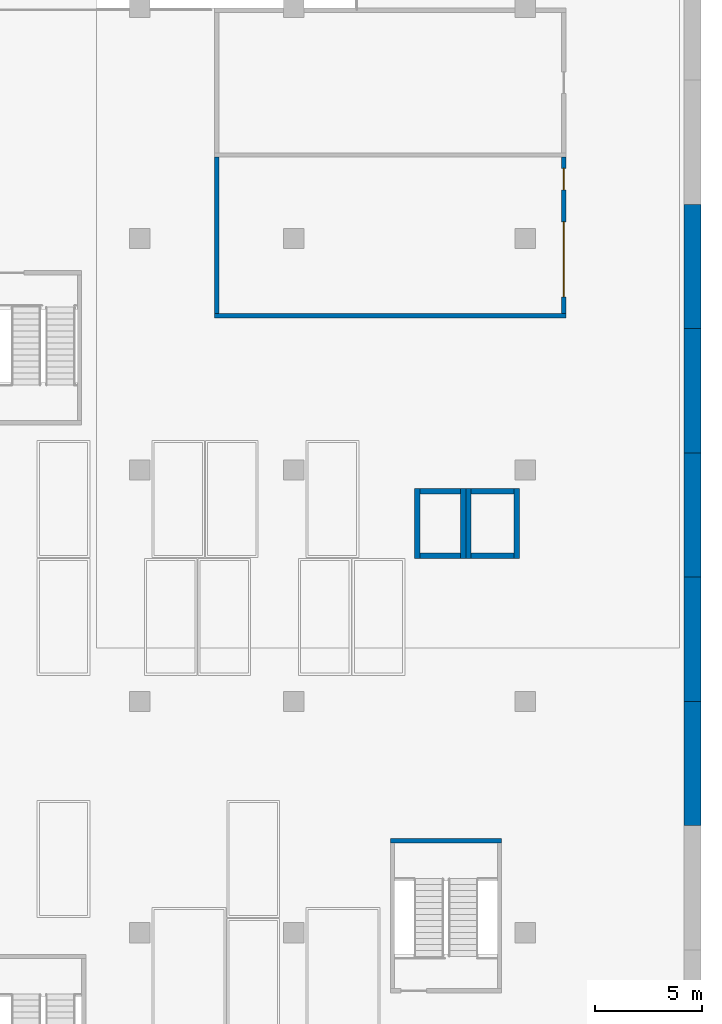
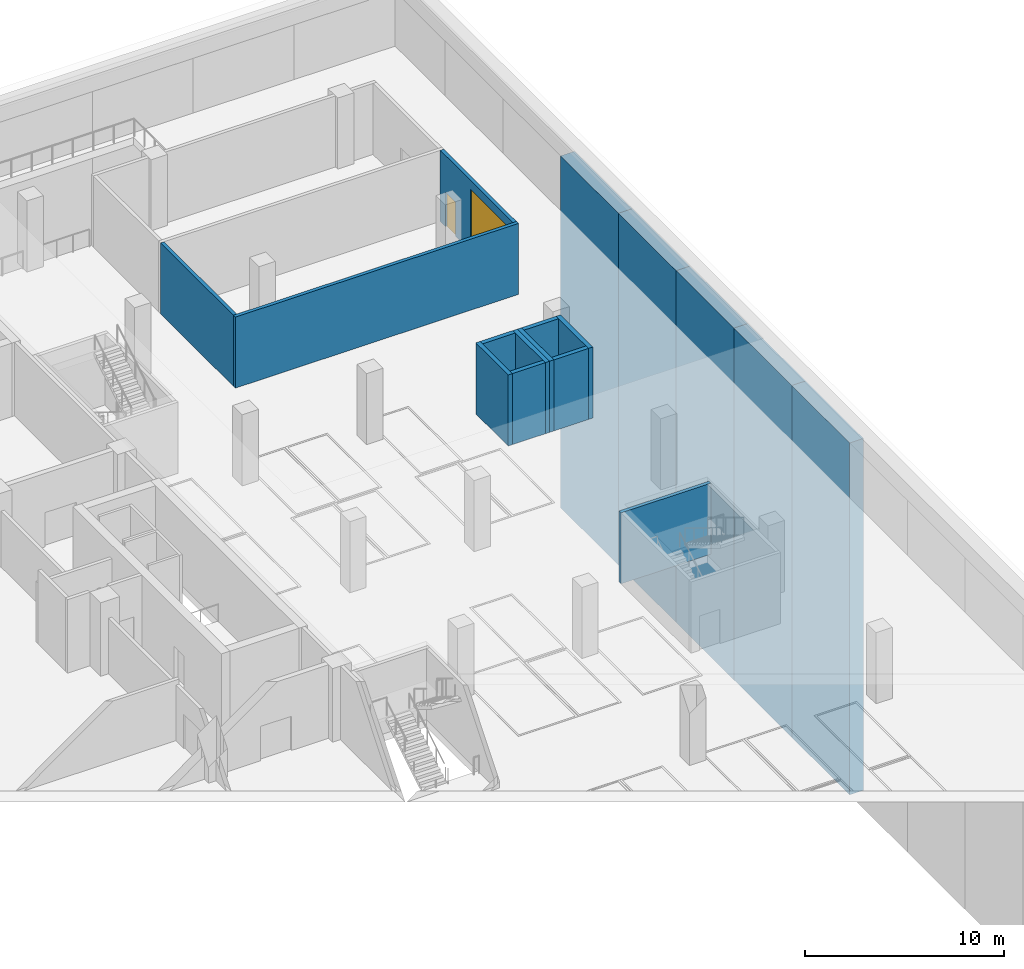
# One storey, part 7 of 18: 17 walls, 2 doors, 2 openings.
"""IFC4 building model written with IfcOpenShell, lengths in metres."""

from ifc_helpers import new_model, si_unit, direction, frame, frame_2d, origin, place, context, subcontext, project, spatial, rectangle, extrude, material, layer, layer_set, type_object, element, fill, save


model = new_model("IFC4")

# Units and contexts
model_context = context("Model", 3, precision=1e-05, world=origin(), true_north=direction((0.0, 1.0)))
body_context = subcontext(model_context, "Body", "Model", "MODEL_VIEW")
ifc_project = project(units=[si_unit("LENGTHUNIT", "METRE"), si_unit("AREAUNIT", "SQUARE_METRE"), si_unit("VOLUMEUNIT", "CUBIC_METRE"), si_unit("PLANEANGLEUNIT", "RADIAN"), si_unit("MASSUNIT", "GRAM", prefix="KILO")], contexts=[model_context])

# Site, building, storey
site_placement = place(None, origin())
site = spatial("IfcSite", under=ifc_project, at=site_placement, CompositionType="ELEMENT")
building_placement = place(site_placement, origin())
building = spatial("IfcBuilding", under=site, at=building_placement, Name="Basin Gate Institute", CompositionType="ELEMENT")
storey_placement = place(building_placement, frame((0.0, 0.0, -4.800048828125)))
storey = spatial("IfcBuildingStorey", under=building, at=storey_placement, Name="B1", CompositionType="ELEMENT", Elevation=-4.800048828125)

# Walls
ifc_material_1 = material(Name="Blockwork", Category="masonry")
ifc_layer_1 = layer(ifc_material_1, 0.199951171875)
ifc_layer_set_1 = layer_set([ifc_layer_1], Name="Basement fire partition EI 60")
wall_type_1 = type_object("IfcWallType", Name="Basement fire partition EI 60", PredefinedType="PARTITIONING", material=ifc_layer_set_1)
wall_1_placement = place(storey_placement, frame((129.5, 85.5, 0.0), z_axis=(0.0, 0.0, 1.0), x_axis=(1.0, 0.0, 0.0)))
element("IfcWall", 1, at=wall_1_placement, inside=storey, type_object=wall_type_1, material=ifc_layer_set_1, Name="Loading Dock B1 fire-resisting wall", PredefinedType="PARTITIONING", context=body_context, shape_type="SweptSolid", body=[
    extrude(rectangle(XDim=16.39990234375, YDim=0.199951171875, at=frame_2d((8.199951171875, 0.0))), origin(), (0.0, 0.0, 1.0), 4.35009765625),
])
wall_2_placement = place(storey_placement, frame((129.60009765625, 85.60009765625, 0.0), z_axis=(0.0, 0.0, 1.0), x_axis=(0.0, 1.0, 0.0)))
element("IfcWall", 2, at=wall_2_placement, inside=storey, type_object=wall_type_1, material=ifc_layer_set_1, Name="Loading Dock B1 fire-resisting wall", PredefinedType="PARTITIONING", context=body_context, shape_type="SweptSolid", body=[
    extrude(rectangle(XDim=7.2998046875, YDim=0.199951171875, at=frame_2d((3.64990234375, 0.0))), origin(), (0.0, 0.0, 1.0), 4.35009765625),
])

# Wall, openings, doors
wall_3_placement = place(storey_placement, frame((145.800048828125, 85.60009765625, 0.0), z_axis=(0.0, 0.0, 1.0), x_axis=(0.0, 1.0, 0.0)))
wall_3 = element("IfcWall", 3, at=wall_3_placement, inside=storey, type_object=wall_type_1, material=ifc_layer_set_1, Name="Loading Dock B1 fire-resisting wall", PredefinedType="PARTITIONING", context=body_context, shape_type="SweptSolid", body=[
    extrude(rectangle(XDim=7.2998046875, YDim=0.199951171875, at=frame_2d((3.64990234375, 0.0))), origin(), (0.0, 0.0, 1.0), 4.35009765625),
])
opening_1_placement = place(wall_3_placement, frame((0.77490234375, 0.0, 0.0)))
opening_1 = element("IfcOpeningElement", 4, at=opening_1_placement, cuts=wall_3, Name="Opening DB102", PredefinedType="OPENING", context=body_context, shape_type="SweptSolid", body=[
    extrude(rectangle(XDim=3.5, YDim=3.800048828125, at=frame_2d((1.75, 1.89990234375))), frame((0.0, 0.10986328125, 0.0), z_axis=(0.0, -1.0, 0.0), x_axis=(1.0, 0.0, 0.0)), (0.0, 0.0, 1.0), 0.219970703125),
])
opening_2_placement = place(wall_3_placement, frame((5.77490234375, 0.0, 0.0)))
opening_2 = element("IfcOpeningElement", 5, at=opening_2_placement, cuts=wall_3, Name="Opening DB103", PredefinedType="OPENING", context=body_context, shape_type="SweptSolid", body=[
    extrude(rectangle(XDim=1.0, YDim=2.10009765625, at=frame_2d((0.5, 1.050048828125))), frame((0.0, 0.10986328125, 0.0), z_axis=(0.0, -1.0, 0.0), x_axis=(1.0, 0.0, 0.0)), (0.0, 0.0, 1.0), 0.219970703125),
])
ifc_material_2 = material(Name="Steel door set", Category="steel")
door_type_1 = type_object("IfcDoorType", Name="Fire door FD60 1000x2100", OperationType="NOTDEFINED", PredefinedType="DOOR", material=ifc_material_2)
door_1_placement = place(opening_2_placement, origin())
door_1 = element("IfcDoor", 6, at=door_1_placement, inside=storey, type_object=door_type_1, material=ifc_material_2, Name="Door DB103 Loading Dock B1", OperationType="SINGLE_SWING_RIGHT", OverallHeight=2.10009765625, OverallWidth=1.0, PredefinedType="DOOR", context=body_context, shape_type="SweptSolid", body=[
    extrude(rectangle(XDim=1.0, YDim=2.10009765625, at=frame_2d((0.5, 1.050048828125))), frame((0.0, 0.02490234375, 0.0), z_axis=(0.0, -1.0, 0.0), x_axis=(1.0, 0.0, 0.0)), (0.0, 0.0, 1.0), 0.050048828125),
])
fill(opening_2, door_1)
ifc_material_3 = material(Name="Steel door set", Category="steel")
door_type_2 = type_object("IfcDoorType", Name="Vehicle shutter FD60 3500x3800", OperationType="ROLLINGUP", PredefinedType="DOOR", material=ifc_material_3)
door_2_placement = place(opening_1_placement, frame((3.5, 0.0, 0.0), z_axis=(0.0, 0.0, 1.0), x_axis=(-1.0, 0.0, 0.0)))
door_2 = element("IfcDoor", 7, at=door_2_placement, inside=storey, type_object=door_type_2, material=ifc_material_3, Name="Door DB102 Loading Dock B1", OperationType="ROLLINGUP", OverallHeight=3.800048828125, OverallWidth=3.5, PredefinedType="DOOR", context=body_context, shape_type="SweptSolid", body=[
    extrude(rectangle(XDim=3.5, YDim=3.800048828125, at=frame_2d((1.75, 1.89990234375))), frame((0.0, 0.02490234375, 0.0), z_axis=(0.0, -1.0, 0.0), x_axis=(1.0, 0.0, 0.0)), (0.0, 0.0, 1.0), 0.050048828125),
])
fill(opening_1, door_2)

# Walls
ifc_material_4 = material(Name="Concrete 35 MPa", Category="concrete")
ifc_layer_2 = layer(ifc_material_4, 0.199951171875)
ifc_layer_set_2 = layer_set([ifc_layer_2], Name="Concrete 35 MPa")
wall_type_2 = type_object("IfcWallType", Name="Basement stair enclosure wall W67 REI 120", PredefinedType="SOLIDWALL", material=ifc_layer_set_2)
wall_4_placement = place(storey_placement, frame((137.699951171875, 61.0, 0.0), z_axis=(0.0, 0.0, 1.0), x_axis=(1.0, 0.0, 0.0)))
element("IfcWall", 8, at=wall_4_placement, inside=storey, type_object=wall_type_2, material=ifc_layer_set_2, Name="Stair Enclosure BS6 B1 enclosure wall", PredefinedType="SOLIDWALL", context=body_context, shape_type="SweptSolid", body=[
    extrude(rectangle(XDim=5.199951171875, YDim=0.199951171875, at=frame_2d((2.60009765625, 0.0))), origin(), (0.0, 0.0, 1.0), 4.35009765625),
])
ifc_material_5 = material(Name="Concrete 40 MPa", Category="concrete")
ifc_layer_3 = layer(ifc_material_5, 0.25)
ifc_layer_set_3 = layer_set([ifc_layer_3], Name="Concrete 40 MPa")
wall_type_3 = type_object("IfcWallType", Name="Lift shaft enclosure wall W76 EI 120", PredefinedType="SOLIDWALL", material=ifc_layer_set_3)
for number, where, z_axis, x_axis, name in (
    (9, (139.074951171875, 74.300048828125, 0.0), (0.0, 0.0, 1.0), (1.0, 0.0, 0.0), "Lift shaft enclosure LP8 S B1"),
    (10, (139.074951171875, 77.300048828125, 0.0), (0.0, 0.0, 1.0), (1.0, 0.0, 0.0), "Lift shaft enclosure LP8 N B1"),
):
    element("IfcWall", number, at=place(storey_placement, frame(where, z_axis=z_axis, x_axis=x_axis)), inside=storey, type_object=wall_type_3, material=ifc_layer_set_3, Name=name, PredefinedType="SOLIDWALL", context=body_context, shape_type="SweptSolid", body=[
        extrude(rectangle(XDim=1.900146484375, YDim=0.25, at=frame_2d((0.9501953125, 0.0))), origin(), (0.0, 0.0, 1.0), 4.35009765625),
    ])
for number, where, z_axis, x_axis, name in (
    (11, (138.949951171875, 74.175048828125, 0.0), (0.0, 0.0, 1.0), (0.0, 1.0, 0.0), "Lift shaft enclosure LP8 W B1"),
    (12, (141.10009765625, 74.175048828125, 0.0), (0.0, 0.0, 1.0), (0.0, 1.0, 0.0), "Lift shaft enclosure LP8 E B1"),
):
    element("IfcWall", number, at=place(storey_placement, frame(where, z_axis=z_axis, x_axis=x_axis)), inside=storey, type_object=wall_type_3, material=ifc_layer_set_3, Name=name, PredefinedType="SOLIDWALL", context=body_context, shape_type="SweptSolid", body=[
        extrude(rectangle(XDim=3.25, YDim=0.25, at=frame_2d((1.625, 0.0))), origin(), (0.0, 0.0, 1.0), 4.35009765625),
    ])
for number, where, z_axis, x_axis, name in (
    (13, (141.47509765625, 74.300048828125, 0.0), (0.0, 0.0, 1.0), (1.0, 0.0, 0.0), "Lift shaft enclosure LG1 S B1"),
    (14, (141.47509765625, 77.300048828125, 0.0), (0.0, 0.0, 1.0), (1.0, 0.0, 0.0), "Lift shaft enclosure LG1 N B1"),
):
    element("IfcWall", number, at=place(storey_placement, frame(where, z_axis=z_axis, x_axis=x_axis)), inside=storey, type_object=wall_type_3, material=ifc_layer_set_3, Name=name, PredefinedType="SOLIDWALL", context=body_context, shape_type="SweptSolid", body=[
        extrude(rectangle(XDim=2.0, YDim=0.25, at=frame_2d((1.0, 0.0))), origin(), (0.0, 0.0, 1.0), 4.35009765625),
    ])
for number, where, z_axis, x_axis, name in (
    (15, (141.35009765625, 74.175048828125, 0.0), (0.0, 0.0, 1.0), (0.0, 1.0, 0.0), "Lift shaft enclosure LG1 W B1"),
    (16, (143.60009765625, 74.175048828125, 0.0), (0.0, 0.0, 1.0), (0.0, 1.0, 0.0), "Lift shaft enclosure LG1 E B1"),
):
    element("IfcWall", number, at=place(storey_placement, frame(where, z_axis=z_axis, x_axis=x_axis)), inside=storey, type_object=wall_type_3, material=ifc_layer_set_3, Name=name, PredefinedType="SOLIDWALL", context=body_context, shape_type="SweptSolid", body=[
        extrude(rectangle(XDim=3.25, YDim=0.25, at=frame_2d((1.625, 0.0))), origin(), (0.0, 0.0, 1.0), 4.35009765625),
    ])
ifc_material_6 = material(Name="Concrete 40 MPa", Category="concrete")
ifc_layer_4 = layer(ifc_material_6, 0.800048828125)
ifc_layer_set_4 = layer_set([ifc_layer_4], Name="Concrete 40 MPa")
wall_type_4 = type_object("IfcWallType", Name="Wall DW1 R180", PredefinedType="SOLIDWALL", material=ifc_layer_set_4)
for number, where, z_axis, x_axis, name in (
    (17, (151.800048828125, 61.699951171875, -18.199951171875), (0.0, 0.0, 1.0), (0.0, 1.0, 0.0), "WALL/B1/BASE/E/07"),
    (18, (151.800048828125, 67.5, -18.199951171875), (0.0, 0.0, 1.0), (0.0, 1.0, 0.0), "WALL/B1/BASE/E/08"),
    (19, (151.800048828125, 73.300048828125, -18.199951171875), (0.0, 0.0, 1.0), (0.0, 1.0, 0.0), "WALL/B1/BASE/E/09"),
):
    element("IfcWall", number, at=place(storey_placement, frame(where, z_axis=z_axis, x_axis=x_axis)), inside=storey, type_object=wall_type_4, material=ifc_layer_set_4, Name=name, PredefinedType="SOLIDWALL", context=body_context, shape_type="SweptSolid", body=[
        extrude(rectangle(XDim=5.800048828125, YDim=0.800048828125, at=frame_2d((2.89990234375, 0.0))), origin(), (0.0, 0.0, 1.0), 21.550048828125),
    ])
wall_5_placement = place(storey_placement, frame((151.800048828125, 79.10009765625, -18.199951171875), z_axis=(0.0, 0.0, 1.0), x_axis=(0.0, 1.0, 0.0)))
element("IfcWall", 20, at=wall_5_placement, inside=storey, type_object=wall_type_4, material=ifc_layer_set_4, Name="WALL/B1/BASE/E/10", PredefinedType="SOLIDWALL", context=body_context, shape_type="SweptSolid", body=[
    extrude(rectangle(XDim=5.7998046875, YDim=0.800048828125, at=frame_2d((2.89990234375, 0.0))), origin(), (0.0, 0.0, 1.0), 21.550048828125),
])
wall_6_placement = place(storey_placement, frame((151.800048828125, 84.89990234375, -18.199951171875), z_axis=(0.0, 0.0, 1.0), x_axis=(0.0, 1.0, 0.0)))
element("IfcWall", 21, at=wall_6_placement, inside=storey, type_object=wall_type_4, material=ifc_layer_set_4, Name="WALL/B1/BASE/E/11", PredefinedType="SOLIDWALL", context=body_context, shape_type="SweptSolid", body=[
    extrude(rectangle(XDim=5.800048828125, YDim=0.800048828125, at=frame_2d((2.89990234375, 0.0))), origin(), (0.0, 0.0, 1.0), 21.550048828125),
])

save(model, "model.ifc")
